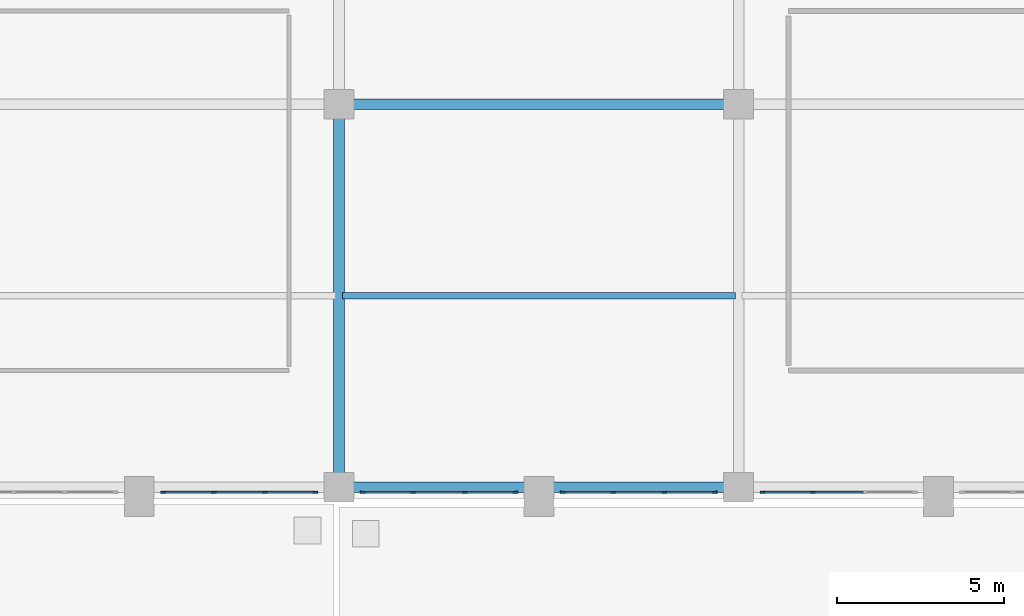
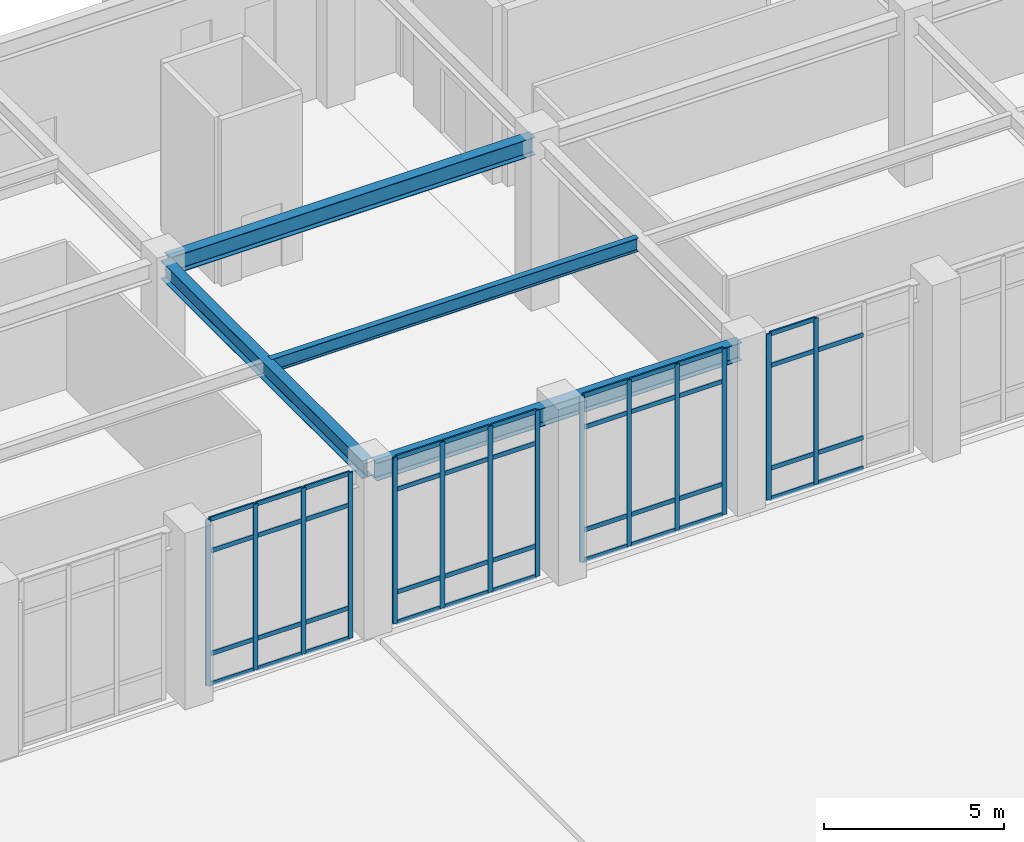
# One storey, part 75 of 143: 57 members, 4 beams, 4 elements without a shape of their own.
"""IFC4 building model written with IfcOpenShell, lengths in metres."""

from ifc_helpers import new_model, si_unit, derived_unit, direction, frame, origin, origin_2d, place, context, subcontext, project, spatial, rectangle, i_section, extrude, material, layer, layer_set, material_profile, profile_set, type_object, element, aggregate, save


model = new_model("IFC4")

# Units and contexts
model_context = context("Model", 3, precision=1e-05, world=origin(), true_north=direction((0.0, 1.0)))
body_context = subcontext(model_context, "Body", "Model", "MODEL_VIEW")
ifc_project = project(units=[si_unit("LENGTHUNIT", "METRE"), si_unit("AREAUNIT", "SQUARE_METRE"), si_unit("VOLUMEUNIT", "CUBIC_METRE"), si_unit("PLANEANGLEUNIT", "RADIAN"), si_unit("MASSUNIT", "GRAM", prefix="KILO"), derived_unit("THERMALTRANSMITTANCEUNIT", [(si_unit("MASSUNIT", "GRAM", prefix="KILO"), 1), (si_unit("TIMEUNIT", "SECOND"), -3), (si_unit("THERMODYNAMICTEMPERATUREUNIT", "KELVIN"), -1)])], contexts=[model_context])

# Site, building, storey
site_placement = place(None, origin())
site = spatial("IfcSite", under=ifc_project, at=site_placement, CompositionType="ELEMENT")
building_placement = place(site_placement, origin())
building = spatial("IfcBuilding", under=site, at=building_placement, Name="Valcora Ridge Arena", CompositionType="ELEMENT")
storey_placement = place(building_placement, origin())
storey = spatial("IfcBuildingStorey", under=building, at=storey_placement, Name="L00", CompositionType="ELEMENT", Elevation=0.0)

# Beams
ifc_material_1 = material(Name="Steel ASTM A572 Grade 50", Category="steel")
ifc_material_profile_1 = material_profile(ifc_material_1, i_section(OverallWidth=0.324951171875, OverallDepth=0.612060546875, WebThickness=0.0126953125, FlangeThickness=0.01904296875, FilletRadius=0.01806640625, at=origin_2d()), Name="W24X104")
ifc_profile_set_1 = profile_set([ifc_material_profile_1], Name="Steel ASTM A572 Grade 50")
beam_type_1 = type_object("IfcBeamType", Name="TY-BEAM-G-W24X104-X", PredefinedType="BEAM", material=ifc_profile_set_1)
for number, where, z_axis, x_axis, name in (
    (1, (132.139892578125, 108.699951171875, 5.333984375), (1.0, 0.0, 0.0), (0.0, 1.0, 0.0), "G-W24X104-X BEM-G-W24X104-X-0013"),
    (2, (132.139892578125, 120.199951171875, 5.333984375), (1.0, 0.0, 0.0), (0.0, 1.0, 0.0), "G-W24X104-X BEM-G-W24X104-X-0027"),
):
    element("IfcBeam", number, at=place(storey_placement, frame(where, z_axis=z_axis, x_axis=x_axis)), inside=storey, type_object=beam_type_1, Name=name, PredefinedType="BEAM", context=body_context, shape_type="SweptSolid", body=[
        extrude(i_section(OverallWidth=0.324951171875, OverallDepth=0.612060546875, WebThickness=0.0126953125, FlangeThickness=0.01904296875, FilletRadius=0.01806640625, at=origin_2d()), origin(), (0.0, 0.0, 1.0), 11.72021484375),
    ])
ifc_material_profile_2 = material_profile(ifc_material_1, i_section(OverallWidth=0.324951171875, OverallDepth=0.612060546875, WebThickness=0.0126953125, FlangeThickness=0.01904296875, FilletRadius=0.01806640625, at=origin_2d()), Name="W24X104")
ifc_profile_set_2 = profile_set([ifc_material_profile_2], Name="Steel ASTM A572 Grade 50")
beam_type_2 = type_object("IfcBeamType", Name="TY-BEAM-G-W24X104-Y", PredefinedType="BEAM", material=ifc_profile_set_2)
beam_1_placement = place(storey_placement, frame((132.0, 108.840087890625, 5.333984375), z_axis=(0.0, 1.0, 0.0), x_axis=(-1.0, 0.0, 0.0)))
element("IfcBeam", 3, at=beam_1_placement, inside=storey, type_object=beam_type_2, Name="G-W24X104-Y BEM-G-W24X104-Y-0018", PredefinedType="BEAM", context=body_context, shape_type="SweptSolid", body=[
    extrude(i_section(OverallWidth=0.324951171875, OverallDepth=0.612060546875, WebThickness=0.0126953125, FlangeThickness=0.01904296875, FilletRadius=0.01806640625, at=origin_2d()), origin(), (0.0, 0.0, 1.0), 11.219970703125),
])
ifc_material_profile_3 = material_profile(ifc_material_1, i_section(OverallWidth=0.18994140625, OverallDepth=0.45703125, WebThickness=0.009033203125, FlangeThickness=0.014404296875, FilletRadius=0.014892578125, at=origin_2d()), Name="W18X50")
ifc_profile_set_3 = profile_set([ifc_material_profile_3], Name="Steel ASTM A572 Grade 50")
beam_type_3 = type_object("IfcBeamType", Name="TY-BEAM-J-W18X50", PredefinedType="JOIST", material=ifc_profile_set_3)
beam_2_placement = place(storey_placement, frame((132.10009765625, 114.449951171875, 5.41162109375), z_axis=(1.0, 0.0, 0.0), x_axis=(0.0, 1.0, 0.0)))
element("IfcBeam", 4, at=beam_2_placement, inside=storey, type_object=beam_type_3, Name="J-W18X50 BEM-J-W18X50-0014", PredefinedType="JOIST", context=body_context, shape_type="SweptSolid", body=[
    extrude(i_section(OverallWidth=0.18994140625, OverallDepth=0.45703125, WebThickness=0.009033203125, FlangeThickness=0.014404296875, FilletRadius=0.014892578125, at=origin_2d()), origin(), (0.0, 0.0, 1.0), 11.7998046875),
])

# Curtain wall, members
ifc_material_2 = material(Name="Anodised dark bronze architectural aluminium 6063-T6", Category="aluminium")
ifc_layer = layer(ifc_material_2, 0.14990234375, Name="Anodised dark bronze architectural aluminium 6063-T6")
ifc_layer_set = layer_set([ifc_layer], Name="Anodised dark bronze architectural aluminium 6063-T6")
curtain_wall_type = type_object("IfcCurtainWallType", Name="TY-CURTAINWALL-CW-V5-MED-046X56", PredefinedType="NOTDEFINED", material=ifc_layer_set)
curtain_wall_1_placement = place(storey_placement, origin())
curtain_wall_1 = element("IfcCurtainWall", 5, at=curtain_wall_1_placement, inside=storey, type_object=curtain_wall_type, Name="CW-V5-MED-046X56 CW-0307", PredefinedType="NOTDEFINED")
ifc_material_profile_4 = material_profile(ifc_material_2, rectangle(XDim=0.050048828125, YDim=0.14990234375, at=origin_2d()), Name="ALU MULLION 50x150")
ifc_profile_set_4 = profile_set([ifc_material_profile_4], Name="Anodised dark bronze architectural aluminium 6063-T6")
member_type_1 = type_object("IfcMemberType", Name="TY-MEM-CWM-50x150", PredefinedType="MULLION", material=ifc_profile_set_4)
member_1_placement = place(storey_placement, frame((126.715087890625, 108.550048828125, 0.0), z_axis=(0.0, 0.0, 1.0), x_axis=(0.0, 1.0, 0.0)))
member_1 = element("IfcMember", 6, at=member_1_placement, type_object=member_type_1, Name="CW-0307/CWM-50x150/M00", PredefinedType="MULLION", context=body_context, shape_type="SweptSolid", body=[
    extrude(rectangle(XDim=0.050048828125, YDim=0.14990234375, at=origin_2d()), origin(), (0.0, 0.0, 1.0), 5.639892578125),
])
member_2_placement = place(storey_placement, frame((128.22998046875, 108.550048828125, 0.0), z_axis=(0.0, 0.0, 1.0), x_axis=(0.0, 1.0, 0.0)))
member_2 = element("IfcMember", 7, at=member_2_placement, type_object=member_type_1, Name="CW-0307/CWM-50x150/M01", PredefinedType="MULLION", context=body_context, shape_type="SweptSolid", body=[
    extrude(rectangle(XDim=0.050048828125, YDim=0.14990234375, at=origin_2d()), origin(), (0.0, 0.0, 1.0), 5.639892578125),
])
member_3_placement = place(storey_placement, frame((129.77001953125, 108.550048828125, 0.0), z_axis=(0.0, 0.0, 1.0), x_axis=(0.0, 1.0, 0.0)))
member_3 = element("IfcMember", 8, at=member_3_placement, type_object=member_type_1, Name="CW-0307/CWM-50x150/M02", PredefinedType="MULLION", context=body_context, shape_type="SweptSolid", body=[
    extrude(rectangle(XDim=0.050048828125, YDim=0.14990234375, at=origin_2d()), origin(), (0.0, 0.0, 1.0), 5.639892578125),
])
member_4_placement = place(storey_placement, frame((131.284912109375, 108.550048828125, 0.0), z_axis=(0.0, 0.0, 1.0), x_axis=(0.0, 1.0, 0.0)))
member_4 = element("IfcMember", 9, at=member_4_placement, type_object=member_type_1, Name="CW-0307/CWM-50x150/M03", PredefinedType="MULLION", context=body_context, shape_type="SweptSolid", body=[
    extrude(rectangle(XDim=0.050048828125, YDim=0.14990234375, at=origin_2d()), origin(), (0.0, 0.0, 1.0), 5.639892578125),
])

curtain_wall_2_placement = place(storey_placement, origin())
curtain_wall_2 = element("IfcCurtainWall", 10, at=curtain_wall_2_placement, inside=storey, type_object=curtain_wall_type, Name="CW-V5-MED-046X56 CW-0308", PredefinedType="NOTDEFINED")
member_5_placement = place(storey_placement, frame((132.715087890625, 108.550048828125, 0.0), z_axis=(0.0, 0.0, 1.0), x_axis=(0.0, 1.0, 0.0)))
member_5 = element("IfcMember", 11, at=member_5_placement, type_object=member_type_1, Name="CW-0308/CWM-50x150/M00", PredefinedType="MULLION", context=body_context, shape_type="SweptSolid", body=[
    extrude(rectangle(XDim=0.050048828125, YDim=0.14990234375, at=origin_2d()), origin(), (0.0, 0.0, 1.0), 5.639892578125),
])
member_6_placement = place(storey_placement, frame((134.22998046875, 108.550048828125, 0.0), z_axis=(0.0, 0.0, 1.0), x_axis=(0.0, 1.0, 0.0)))
member_6 = element("IfcMember", 12, at=member_6_placement, type_object=member_type_1, Name="CW-0308/CWM-50x150/M01", PredefinedType="MULLION", context=body_context, shape_type="SweptSolid", body=[
    extrude(rectangle(XDim=0.050048828125, YDim=0.14990234375, at=origin_2d()), origin(), (0.0, 0.0, 1.0), 5.639892578125),
])
member_7_placement = place(storey_placement, frame((135.77001953125, 108.550048828125, 0.0), z_axis=(0.0, 0.0, 1.0), x_axis=(0.0, 1.0, 0.0)))
member_7 = element("IfcMember", 13, at=member_7_placement, type_object=member_type_1, Name="CW-0308/CWM-50x150/M02", PredefinedType="MULLION", context=body_context, shape_type="SweptSolid", body=[
    extrude(rectangle(XDim=0.050048828125, YDim=0.14990234375, at=origin_2d()), origin(), (0.0, 0.0, 1.0), 5.639892578125),
])
member_8_placement = place(storey_placement, frame((137.284912109375, 108.550048828125, 0.0), z_axis=(0.0, 0.0, 1.0), x_axis=(0.0, 1.0, 0.0)))
member_8 = element("IfcMember", 14, at=member_8_placement, type_object=member_type_1, Name="CW-0308/CWM-50x150/M03", PredefinedType="MULLION", context=body_context, shape_type="SweptSolid", body=[
    extrude(rectangle(XDim=0.050048828125, YDim=0.14990234375, at=origin_2d()), origin(), (0.0, 0.0, 1.0), 5.639892578125),
])

curtain_wall_3_placement = place(storey_placement, origin())
curtain_wall_3 = element("IfcCurtainWall", 15, at=curtain_wall_3_placement, inside=storey, type_object=curtain_wall_type, Name="CW-V5-MED-046X56 CW-0309", PredefinedType="NOTDEFINED")
member_9_placement = place(storey_placement, frame((138.715087890625, 108.550048828125, 0.0), z_axis=(0.0, 0.0, 1.0), x_axis=(0.0, 1.0, 0.0)))
member_9 = element("IfcMember", 16, at=member_9_placement, type_object=member_type_1, Name="CW-0309/CWM-50x150/M00", PredefinedType="MULLION", context=body_context, shape_type="SweptSolid", body=[
    extrude(rectangle(XDim=0.050048828125, YDim=0.14990234375, at=origin_2d()), origin(), (0.0, 0.0, 1.0), 5.639892578125),
])
member_10_placement = place(storey_placement, frame((140.22998046875, 108.550048828125, 0.0), z_axis=(0.0, 0.0, 1.0), x_axis=(0.0, 1.0, 0.0)))
member_10 = element("IfcMember", 17, at=member_10_placement, type_object=member_type_1, Name="CW-0309/CWM-50x150/M01", PredefinedType="MULLION", context=body_context, shape_type="SweptSolid", body=[
    extrude(rectangle(XDim=0.050048828125, YDim=0.14990234375, at=origin_2d()), origin(), (0.0, 0.0, 1.0), 5.639892578125),
])
member_11_placement = place(storey_placement, frame((141.77001953125, 108.550048828125, 0.0), z_axis=(0.0, 0.0, 1.0), x_axis=(0.0, 1.0, 0.0)))
member_11 = element("IfcMember", 18, at=member_11_placement, type_object=member_type_1, Name="CW-0309/CWM-50x150/M02", PredefinedType="MULLION", context=body_context, shape_type="SweptSolid", body=[
    extrude(rectangle(XDim=0.050048828125, YDim=0.14990234375, at=origin_2d()), origin(), (0.0, 0.0, 1.0), 5.639892578125),
])
member_12_placement = place(storey_placement, frame((143.284912109375, 108.550048828125, 0.0), z_axis=(0.0, 0.0, 1.0), x_axis=(0.0, 1.0, 0.0)))
member_12 = element("IfcMember", 19, at=member_12_placement, type_object=member_type_1, Name="CW-0309/CWM-50x150/M03", PredefinedType="MULLION", context=body_context, shape_type="SweptSolid", body=[
    extrude(rectangle(XDim=0.050048828125, YDim=0.14990234375, at=origin_2d()), origin(), (0.0, 0.0, 1.0), 5.639892578125),
])

curtain_wall_4_placement = place(storey_placement, origin())
curtain_wall_4 = element("IfcCurtainWall", 20, at=curtain_wall_4_placement, inside=storey, type_object=curtain_wall_type, Name="CW-V5-MED-046X56 CW-0310", PredefinedType="NOTDEFINED")
member_13_placement = place(storey_placement, frame((144.715087890625, 108.550048828125, 0.0), z_axis=(0.0, 0.0, 1.0), x_axis=(0.0, 1.0, 0.0)))
member_13 = element("IfcMember", 21, at=member_13_placement, type_object=member_type_1, Name="CW-0310/CWM-50x150/M00", PredefinedType="MULLION", context=body_context, shape_type="SweptSolid", body=[
    extrude(rectangle(XDim=0.050048828125, YDim=0.14990234375, at=origin_2d()), origin(), (0.0, 0.0, 1.0), 5.639892578125),
])
member_14_placement = place(storey_placement, frame((146.22998046875, 108.550048828125, 0.0), z_axis=(0.0, 0.0, 1.0), x_axis=(0.0, 1.0, 0.0)))
member_14 = element("IfcMember", 22, at=member_14_placement, type_object=member_type_1, Name="CW-0310/CWM-50x150/M01", PredefinedType="MULLION", context=body_context, shape_type="SweptSolid", body=[
    extrude(rectangle(XDim=0.050048828125, YDim=0.14990234375, at=origin_2d()), origin(), (0.0, 0.0, 1.0), 5.639892578125),
])

# Member
ifc_material_profile_5 = material_profile(ifc_material_2, rectangle(XDim=0.050048828125, YDim=0.14990234375, at=origin_2d()), Name="ALU TRANSOM 50x150")
ifc_profile_set_5 = profile_set([ifc_material_profile_5], Name="Anodised dark bronze architectural aluminium 6063-T6")
member_type_2 = type_object("IfcMemberType", Name="TY-MEM-CWT-50x150", PredefinedType="USERDEFINED", material=ifc_profile_set_5)
member_15_placement = place(storey_placement, frame((126.739990234375, 108.550048828125, 0.02490234375), z_axis=(1.0, 0.0, 0.0), x_axis=(0.0, 1.0, 0.0)))
member_15 = element("IfcMember", 23, at=member_15_placement, type_object=member_type_2, Name="CW-0307/CWT-50x150/T00-00", ObjectType="TRANSOM", PredefinedType="USERDEFINED", context=body_context, shape_type="SweptSolid", body=[
    extrude(rectangle(XDim=0.050048828125, YDim=0.14990234375, at=origin_2d()), origin(), (0.0, 0.0, 1.0), 1.465087890625),
])

member_16_placement = place(storey_placement, frame((126.739990234375, 108.550048828125, 1.050048828125), z_axis=(1.0, 0.0, 0.0), x_axis=(0.0, 1.0, 0.0)))
member_16 = element("IfcMember", 24, at=member_16_placement, type_object=member_type_2, Name="CW-0307/CWT-50x150/T00-01", ObjectType="TRANSOM", PredefinedType="USERDEFINED", context=body_context, shape_type="SweptSolid", body=[
    extrude(rectangle(XDim=0.050048828125, YDim=0.14990234375, at=origin_2d()), origin(), (0.0, 0.0, 1.0), 1.465087890625),
])

member_17_placement = place(storey_placement, frame((126.739990234375, 108.550048828125, 4.5400390625), z_axis=(1.0, 0.0, 0.0), x_axis=(0.0, 1.0, 0.0)))
member_17 = element("IfcMember", 25, at=member_17_placement, type_object=member_type_2, Name="CW-0307/CWT-50x150/T00-02", ObjectType="TRANSOM", PredefinedType="USERDEFINED", context=body_context, shape_type="SweptSolid", body=[
    extrude(rectangle(XDim=0.050048828125, YDim=0.14990234375, at=origin_2d()), origin(), (0.0, 0.0, 1.0), 1.465087890625),
])

member_18_placement = place(storey_placement, frame((126.739990234375, 108.550048828125, 5.614990234375), z_axis=(1.0, 0.0, 0.0), x_axis=(0.0, 1.0, 0.0)))
member_18 = element("IfcMember", 26, at=member_18_placement, type_object=member_type_2, Name="CW-0307/CWT-50x150/T00-03", ObjectType="TRANSOM", PredefinedType="USERDEFINED", context=body_context, shape_type="SweptSolid", body=[
    extrude(rectangle(XDim=0.050048828125, YDim=0.14990234375, at=origin_2d()), origin(), (0.0, 0.0, 1.0), 1.465087890625),
])

member_19_placement = place(storey_placement, frame((128.2548828125, 108.550048828125, 0.02490234375), z_axis=(1.0, 0.0, 0.0), x_axis=(0.0, 1.0, 0.0)))
member_19 = element("IfcMember", 27, at=member_19_placement, type_object=member_type_2, Name="CW-0307/CWT-50x150/T01-00", ObjectType="TRANSOM", PredefinedType="USERDEFINED", context=body_context, shape_type="SweptSolid", body=[
    extrude(rectangle(XDim=0.050048828125, YDim=0.14990234375, at=origin_2d()), origin(), (0.0, 0.0, 1.0), 1.490234375),
])

member_20_placement = place(storey_placement, frame((128.2548828125, 108.550048828125, 1.050048828125), z_axis=(1.0, 0.0, 0.0), x_axis=(0.0, 1.0, 0.0)))
member_20 = element("IfcMember", 28, at=member_20_placement, type_object=member_type_2, Name="CW-0307/CWT-50x150/T01-01", ObjectType="TRANSOM", PredefinedType="USERDEFINED", context=body_context, shape_type="SweptSolid", body=[
    extrude(rectangle(XDim=0.050048828125, YDim=0.14990234375, at=origin_2d()), origin(), (0.0, 0.0, 1.0), 1.490234375),
])

member_21_placement = place(storey_placement, frame((128.2548828125, 108.550048828125, 4.5400390625), z_axis=(1.0, 0.0, 0.0), x_axis=(0.0, 1.0, 0.0)))
member_21 = element("IfcMember", 29, at=member_21_placement, type_object=member_type_2, Name="CW-0307/CWT-50x150/T01-02", ObjectType="TRANSOM", PredefinedType="USERDEFINED", context=body_context, shape_type="SweptSolid", body=[
    extrude(rectangle(XDim=0.050048828125, YDim=0.14990234375, at=origin_2d()), origin(), (0.0, 0.0, 1.0), 1.490234375),
])

member_22_placement = place(storey_placement, frame((128.2548828125, 108.550048828125, 5.614990234375), z_axis=(1.0, 0.0, 0.0), x_axis=(0.0, 1.0, 0.0)))
member_22 = element("IfcMember", 30, at=member_22_placement, type_object=member_type_2, Name="CW-0307/CWT-50x150/T01-03", ObjectType="TRANSOM", PredefinedType="USERDEFINED", context=body_context, shape_type="SweptSolid", body=[
    extrude(rectangle(XDim=0.050048828125, YDim=0.14990234375, at=origin_2d()), origin(), (0.0, 0.0, 1.0), 1.490234375),
])

member_23_placement = place(storey_placement, frame((129.794921875, 108.550048828125, 0.02490234375), z_axis=(1.0, 0.0, 0.0), x_axis=(0.0, 1.0, 0.0)))
member_23 = element("IfcMember", 31, at=member_23_placement, type_object=member_type_2, Name="CW-0307/CWT-50x150/T02-00", ObjectType="TRANSOM", PredefinedType="USERDEFINED", context=body_context, shape_type="SweptSolid", body=[
    extrude(rectangle(XDim=0.050048828125, YDim=0.14990234375, at=origin_2d()), origin(), (0.0, 0.0, 1.0), 1.465087890625),
])

member_24_placement = place(storey_placement, frame((129.794921875, 108.550048828125, 1.050048828125), z_axis=(1.0, 0.0, 0.0), x_axis=(0.0, 1.0, 0.0)))
member_24 = element("IfcMember", 32, at=member_24_placement, type_object=member_type_2, Name="CW-0307/CWT-50x150/T02-01", ObjectType="TRANSOM", PredefinedType="USERDEFINED", context=body_context, shape_type="SweptSolid", body=[
    extrude(rectangle(XDim=0.050048828125, YDim=0.14990234375, at=origin_2d()), origin(), (0.0, 0.0, 1.0), 1.465087890625),
])

member_25_placement = place(storey_placement, frame((129.794921875, 108.550048828125, 4.5400390625), z_axis=(1.0, 0.0, 0.0), x_axis=(0.0, 1.0, 0.0)))
member_25 = element("IfcMember", 33, at=member_25_placement, type_object=member_type_2, Name="CW-0307/CWT-50x150/T02-02", ObjectType="TRANSOM", PredefinedType="USERDEFINED", context=body_context, shape_type="SweptSolid", body=[
    extrude(rectangle(XDim=0.050048828125, YDim=0.14990234375, at=origin_2d()), origin(), (0.0, 0.0, 1.0), 1.465087890625),
])

member_26_placement = place(storey_placement, frame((129.794921875, 108.550048828125, 5.614990234375), z_axis=(1.0, 0.0, 0.0), x_axis=(0.0, 1.0, 0.0)))
member_26 = element("IfcMember", 34, at=member_26_placement, type_object=member_type_2, Name="CW-0307/CWT-50x150/T02-03", ObjectType="TRANSOM", PredefinedType="USERDEFINED", context=body_context, shape_type="SweptSolid", body=[
    extrude(rectangle(XDim=0.050048828125, YDim=0.14990234375, at=origin_2d()), origin(), (0.0, 0.0, 1.0), 1.465087890625),
])

aggregate(curtain_wall_1, [member_1, member_2, member_3, member_4, member_15, member_16, member_17, member_18, member_19, member_20, member_21, member_22, member_23, member_24, member_25, member_26])

member_27_placement = place(storey_placement, frame((132.739990234375, 108.550048828125, 0.02490234375), z_axis=(1.0, 0.0, 0.0), x_axis=(0.0, 1.0, 0.0)))
member_27 = element("IfcMember", 35, at=member_27_placement, type_object=member_type_2, Name="CW-0308/CWT-50x150/T00-00", ObjectType="TRANSOM", PredefinedType="USERDEFINED", context=body_context, shape_type="SweptSolid", body=[
    extrude(rectangle(XDim=0.050048828125, YDim=0.14990234375, at=origin_2d()), origin(), (0.0, 0.0, 1.0), 1.465087890625),
])

member_28_placement = place(storey_placement, frame((132.739990234375, 108.550048828125, 1.050048828125), z_axis=(1.0, 0.0, 0.0), x_axis=(0.0, 1.0, 0.0)))
member_28 = element("IfcMember", 36, at=member_28_placement, type_object=member_type_2, Name="CW-0308/CWT-50x150/T00-01", ObjectType="TRANSOM", PredefinedType="USERDEFINED", context=body_context, shape_type="SweptSolid", body=[
    extrude(rectangle(XDim=0.050048828125, YDim=0.14990234375, at=origin_2d()), origin(), (0.0, 0.0, 1.0), 1.465087890625),
])

member_29_placement = place(storey_placement, frame((132.739990234375, 108.550048828125, 4.5400390625), z_axis=(1.0, 0.0, 0.0), x_axis=(0.0, 1.0, 0.0)))
member_29 = element("IfcMember", 37, at=member_29_placement, type_object=member_type_2, Name="CW-0308/CWT-50x150/T00-02", ObjectType="TRANSOM", PredefinedType="USERDEFINED", context=body_context, shape_type="SweptSolid", body=[
    extrude(rectangle(XDim=0.050048828125, YDim=0.14990234375, at=origin_2d()), origin(), (0.0, 0.0, 1.0), 1.465087890625),
])

member_30_placement = place(storey_placement, frame((132.739990234375, 108.550048828125, 5.614990234375), z_axis=(1.0, 0.0, 0.0), x_axis=(0.0, 1.0, 0.0)))
member_30 = element("IfcMember", 38, at=member_30_placement, type_object=member_type_2, Name="CW-0308/CWT-50x150/T00-03", ObjectType="TRANSOM", PredefinedType="USERDEFINED", context=body_context, shape_type="SweptSolid", body=[
    extrude(rectangle(XDim=0.050048828125, YDim=0.14990234375, at=origin_2d()), origin(), (0.0, 0.0, 1.0), 1.465087890625),
])

member_31_placement = place(storey_placement, frame((134.2548828125, 108.550048828125, 0.02490234375), z_axis=(1.0, 0.0, 0.0), x_axis=(0.0, 1.0, 0.0)))
member_31 = element("IfcMember", 39, at=member_31_placement, type_object=member_type_2, Name="CW-0308/CWT-50x150/T01-00", ObjectType="TRANSOM", PredefinedType="USERDEFINED", context=body_context, shape_type="SweptSolid", body=[
    extrude(rectangle(XDim=0.050048828125, YDim=0.14990234375, at=origin_2d()), origin(), (0.0, 0.0, 1.0), 1.490234375),
])

member_32_placement = place(storey_placement, frame((134.2548828125, 108.550048828125, 1.050048828125), z_axis=(1.0, 0.0, 0.0), x_axis=(0.0, 1.0, 0.0)))
member_32 = element("IfcMember", 40, at=member_32_placement, type_object=member_type_2, Name="CW-0308/CWT-50x150/T01-01", ObjectType="TRANSOM", PredefinedType="USERDEFINED", context=body_context, shape_type="SweptSolid", body=[
    extrude(rectangle(XDim=0.050048828125, YDim=0.14990234375, at=origin_2d()), origin(), (0.0, 0.0, 1.0), 1.490234375),
])

member_33_placement = place(storey_placement, frame((134.2548828125, 108.550048828125, 4.5400390625), z_axis=(1.0, 0.0, 0.0), x_axis=(0.0, 1.0, 0.0)))
member_33 = element("IfcMember", 41, at=member_33_placement, type_object=member_type_2, Name="CW-0308/CWT-50x150/T01-02", ObjectType="TRANSOM", PredefinedType="USERDEFINED", context=body_context, shape_type="SweptSolid", body=[
    extrude(rectangle(XDim=0.050048828125, YDim=0.14990234375, at=origin_2d()), origin(), (0.0, 0.0, 1.0), 1.490234375),
])

member_34_placement = place(storey_placement, frame((134.2548828125, 108.550048828125, 5.614990234375), z_axis=(1.0, 0.0, 0.0), x_axis=(0.0, 1.0, 0.0)))
member_34 = element("IfcMember", 42, at=member_34_placement, type_object=member_type_2, Name="CW-0308/CWT-50x150/T01-03", ObjectType="TRANSOM", PredefinedType="USERDEFINED", context=body_context, shape_type="SweptSolid", body=[
    extrude(rectangle(XDim=0.050048828125, YDim=0.14990234375, at=origin_2d()), origin(), (0.0, 0.0, 1.0), 1.490234375),
])

member_35_placement = place(storey_placement, frame((135.794921875, 108.550048828125, 0.02490234375), z_axis=(1.0, 0.0, 0.0), x_axis=(0.0, 1.0, 0.0)))
member_35 = element("IfcMember", 43, at=member_35_placement, type_object=member_type_2, Name="CW-0308/CWT-50x150/T02-00", ObjectType="TRANSOM", PredefinedType="USERDEFINED", context=body_context, shape_type="SweptSolid", body=[
    extrude(rectangle(XDim=0.050048828125, YDim=0.14990234375, at=origin_2d()), origin(), (0.0, 0.0, 1.0), 1.465087890625),
])

member_36_placement = place(storey_placement, frame((135.794921875, 108.550048828125, 1.050048828125), z_axis=(1.0, 0.0, 0.0), x_axis=(0.0, 1.0, 0.0)))
member_36 = element("IfcMember", 44, at=member_36_placement, type_object=member_type_2, Name="CW-0308/CWT-50x150/T02-01", ObjectType="TRANSOM", PredefinedType="USERDEFINED", context=body_context, shape_type="SweptSolid", body=[
    extrude(rectangle(XDim=0.050048828125, YDim=0.14990234375, at=origin_2d()), origin(), (0.0, 0.0, 1.0), 1.465087890625),
])

member_37_placement = place(storey_placement, frame((135.794921875, 108.550048828125, 4.5400390625), z_axis=(1.0, 0.0, 0.0), x_axis=(0.0, 1.0, 0.0)))
member_37 = element("IfcMember", 45, at=member_37_placement, type_object=member_type_2, Name="CW-0308/CWT-50x150/T02-02", ObjectType="TRANSOM", PredefinedType="USERDEFINED", context=body_context, shape_type="SweptSolid", body=[
    extrude(rectangle(XDim=0.050048828125, YDim=0.14990234375, at=origin_2d()), origin(), (0.0, 0.0, 1.0), 1.465087890625),
])

member_38_placement = place(storey_placement, frame((135.794921875, 108.550048828125, 5.614990234375), z_axis=(1.0, 0.0, 0.0), x_axis=(0.0, 1.0, 0.0)))
member_38 = element("IfcMember", 46, at=member_38_placement, type_object=member_type_2, Name="CW-0308/CWT-50x150/T02-03", ObjectType="TRANSOM", PredefinedType="USERDEFINED", context=body_context, shape_type="SweptSolid", body=[
    extrude(rectangle(XDim=0.050048828125, YDim=0.14990234375, at=origin_2d()), origin(), (0.0, 0.0, 1.0), 1.465087890625),
])

aggregate(curtain_wall_2, [member_5, member_6, member_7, member_8, member_27, member_28, member_29, member_30, member_31, member_32, member_33, member_34, member_35, member_36, member_37, member_38])

member_39_placement = place(storey_placement, frame((138.739990234375, 108.550048828125, 0.02490234375), z_axis=(1.0, 0.0, 0.0), x_axis=(0.0, 1.0, 0.0)))
member_39 = element("IfcMember", 47, at=member_39_placement, type_object=member_type_2, Name="CW-0309/CWT-50x150/T00-00", ObjectType="TRANSOM", PredefinedType="USERDEFINED", context=body_context, shape_type="SweptSolid", body=[
    extrude(rectangle(XDim=0.050048828125, YDim=0.14990234375, at=origin_2d()), origin(), (0.0, 0.0, 1.0), 1.465087890625),
])

member_40_placement = place(storey_placement, frame((138.739990234375, 108.550048828125, 1.050048828125), z_axis=(1.0, 0.0, 0.0), x_axis=(0.0, 1.0, 0.0)))
member_40 = element("IfcMember", 48, at=member_40_placement, type_object=member_type_2, Name="CW-0309/CWT-50x150/T00-01", ObjectType="TRANSOM", PredefinedType="USERDEFINED", context=body_context, shape_type="SweptSolid", body=[
    extrude(rectangle(XDim=0.050048828125, YDim=0.14990234375, at=origin_2d()), origin(), (0.0, 0.0, 1.0), 1.465087890625),
])

member_41_placement = place(storey_placement, frame((138.739990234375, 108.550048828125, 4.5400390625), z_axis=(1.0, 0.0, 0.0), x_axis=(0.0, 1.0, 0.0)))
member_41 = element("IfcMember", 49, at=member_41_placement, type_object=member_type_2, Name="CW-0309/CWT-50x150/T00-02", ObjectType="TRANSOM", PredefinedType="USERDEFINED", context=body_context, shape_type="SweptSolid", body=[
    extrude(rectangle(XDim=0.050048828125, YDim=0.14990234375, at=origin_2d()), origin(), (0.0, 0.0, 1.0), 1.465087890625),
])

member_42_placement = place(storey_placement, frame((138.739990234375, 108.550048828125, 5.614990234375), z_axis=(1.0, 0.0, 0.0), x_axis=(0.0, 1.0, 0.0)))
member_42 = element("IfcMember", 50, at=member_42_placement, type_object=member_type_2, Name="CW-0309/CWT-50x150/T00-03", ObjectType="TRANSOM", PredefinedType="USERDEFINED", context=body_context, shape_type="SweptSolid", body=[
    extrude(rectangle(XDim=0.050048828125, YDim=0.14990234375, at=origin_2d()), origin(), (0.0, 0.0, 1.0), 1.465087890625),
])

member_43_placement = place(storey_placement, frame((140.2548828125, 108.550048828125, 0.02490234375), z_axis=(1.0, 0.0, 0.0), x_axis=(0.0, 1.0, 0.0)))
member_43 = element("IfcMember", 51, at=member_43_placement, type_object=member_type_2, Name="CW-0309/CWT-50x150/T01-00", ObjectType="TRANSOM", PredefinedType="USERDEFINED", context=body_context, shape_type="SweptSolid", body=[
    extrude(rectangle(XDim=0.050048828125, YDim=0.14990234375, at=origin_2d()), origin(), (0.0, 0.0, 1.0), 1.490234375),
])

member_44_placement = place(storey_placement, frame((140.2548828125, 108.550048828125, 1.050048828125), z_axis=(1.0, 0.0, 0.0), x_axis=(0.0, 1.0, 0.0)))
member_44 = element("IfcMember", 52, at=member_44_placement, type_object=member_type_2, Name="CW-0309/CWT-50x150/T01-01", ObjectType="TRANSOM", PredefinedType="USERDEFINED", context=body_context, shape_type="SweptSolid", body=[
    extrude(rectangle(XDim=0.050048828125, YDim=0.14990234375, at=origin_2d()), origin(), (0.0, 0.0, 1.0), 1.490234375),
])

member_45_placement = place(storey_placement, frame((140.2548828125, 108.550048828125, 4.5400390625), z_axis=(1.0, 0.0, 0.0), x_axis=(0.0, 1.0, 0.0)))
member_45 = element("IfcMember", 53, at=member_45_placement, type_object=member_type_2, Name="CW-0309/CWT-50x150/T01-02", ObjectType="TRANSOM", PredefinedType="USERDEFINED", context=body_context, shape_type="SweptSolid", body=[
    extrude(rectangle(XDim=0.050048828125, YDim=0.14990234375, at=origin_2d()), origin(), (0.0, 0.0, 1.0), 1.490234375),
])

member_46_placement = place(storey_placement, frame((140.2548828125, 108.550048828125, 5.614990234375), z_axis=(1.0, 0.0, 0.0), x_axis=(0.0, 1.0, 0.0)))
member_46 = element("IfcMember", 54, at=member_46_placement, type_object=member_type_2, Name="CW-0309/CWT-50x150/T01-03", ObjectType="TRANSOM", PredefinedType="USERDEFINED", context=body_context, shape_type="SweptSolid", body=[
    extrude(rectangle(XDim=0.050048828125, YDim=0.14990234375, at=origin_2d()), origin(), (0.0, 0.0, 1.0), 1.490234375),
])

member_47_placement = place(storey_placement, frame((141.794921875, 108.550048828125, 0.02490234375), z_axis=(1.0, 0.0, 0.0), x_axis=(0.0, 1.0, 0.0)))
member_47 = element("IfcMember", 55, at=member_47_placement, type_object=member_type_2, Name="CW-0309/CWT-50x150/T02-00", ObjectType="TRANSOM", PredefinedType="USERDEFINED", context=body_context, shape_type="SweptSolid", body=[
    extrude(rectangle(XDim=0.050048828125, YDim=0.14990234375, at=origin_2d()), origin(), (0.0, 0.0, 1.0), 1.465087890625),
])

member_48_placement = place(storey_placement, frame((141.794921875, 108.550048828125, 1.050048828125), z_axis=(1.0, 0.0, 0.0), x_axis=(0.0, 1.0, 0.0)))
member_48 = element("IfcMember", 56, at=member_48_placement, type_object=member_type_2, Name="CW-0309/CWT-50x150/T02-01", ObjectType="TRANSOM", PredefinedType="USERDEFINED", context=body_context, shape_type="SweptSolid", body=[
    extrude(rectangle(XDim=0.050048828125, YDim=0.14990234375, at=origin_2d()), origin(), (0.0, 0.0, 1.0), 1.465087890625),
])

member_49_placement = place(storey_placement, frame((141.794921875, 108.550048828125, 4.5400390625), z_axis=(1.0, 0.0, 0.0), x_axis=(0.0, 1.0, 0.0)))
member_49 = element("IfcMember", 57, at=member_49_placement, type_object=member_type_2, Name="CW-0309/CWT-50x150/T02-02", ObjectType="TRANSOM", PredefinedType="USERDEFINED", context=body_context, shape_type="SweptSolid", body=[
    extrude(rectangle(XDim=0.050048828125, YDim=0.14990234375, at=origin_2d()), origin(), (0.0, 0.0, 1.0), 1.465087890625),
])

member_50_placement = place(storey_placement, frame((141.794921875, 108.550048828125, 5.614990234375), z_axis=(1.0, 0.0, 0.0), x_axis=(0.0, 1.0, 0.0)))
member_50 = element("IfcMember", 58, at=member_50_placement, type_object=member_type_2, Name="CW-0309/CWT-50x150/T02-03", ObjectType="TRANSOM", PredefinedType="USERDEFINED", context=body_context, shape_type="SweptSolid", body=[
    extrude(rectangle(XDim=0.050048828125, YDim=0.14990234375, at=origin_2d()), origin(), (0.0, 0.0, 1.0), 1.465087890625),
])

aggregate(curtain_wall_3, [member_9, member_10, member_11, member_12, member_39, member_40, member_41, member_42, member_43, member_44, member_45, member_46, member_47, member_48, member_49, member_50])

member_51_placement = place(storey_placement, frame((144.739990234375, 108.550048828125, 0.02490234375), z_axis=(1.0, 0.0, 0.0), x_axis=(0.0, 1.0, 0.0)))
member_51 = element("IfcMember", 59, at=member_51_placement, type_object=member_type_2, Name="CW-0310/CWT-50x150/T00-00", ObjectType="TRANSOM", PredefinedType="USERDEFINED", context=body_context, shape_type="SweptSolid", body=[
    extrude(rectangle(XDim=0.050048828125, YDim=0.14990234375, at=origin_2d()), origin(), (0.0, 0.0, 1.0), 1.465087890625),
])

member_52_placement = place(storey_placement, frame((144.739990234375, 108.550048828125, 1.050048828125), z_axis=(1.0, 0.0, 0.0), x_axis=(0.0, 1.0, 0.0)))
member_52 = element("IfcMember", 60, at=member_52_placement, type_object=member_type_2, Name="CW-0310/CWT-50x150/T00-01", ObjectType="TRANSOM", PredefinedType="USERDEFINED", context=body_context, shape_type="SweptSolid", body=[
    extrude(rectangle(XDim=0.050048828125, YDim=0.14990234375, at=origin_2d()), origin(), (0.0, 0.0, 1.0), 1.465087890625),
])

member_53_placement = place(storey_placement, frame((144.739990234375, 108.550048828125, 4.5400390625), z_axis=(1.0, 0.0, 0.0), x_axis=(0.0, 1.0, 0.0)))
member_53 = element("IfcMember", 61, at=member_53_placement, type_object=member_type_2, Name="CW-0310/CWT-50x150/T00-02", ObjectType="TRANSOM", PredefinedType="USERDEFINED", context=body_context, shape_type="SweptSolid", body=[
    extrude(rectangle(XDim=0.050048828125, YDim=0.14990234375, at=origin_2d()), origin(), (0.0, 0.0, 1.0), 1.465087890625),
])

member_54_placement = place(storey_placement, frame((144.739990234375, 108.550048828125, 5.614990234375), z_axis=(1.0, 0.0, 0.0), x_axis=(0.0, 1.0, 0.0)))
member_54 = element("IfcMember", 62, at=member_54_placement, type_object=member_type_2, Name="CW-0310/CWT-50x150/T00-03", ObjectType="TRANSOM", PredefinedType="USERDEFINED", context=body_context, shape_type="SweptSolid", body=[
    extrude(rectangle(XDim=0.050048828125, YDim=0.14990234375, at=origin_2d()), origin(), (0.0, 0.0, 1.0), 1.465087890625),
])

member_55_placement = place(storey_placement, frame((146.2548828125, 108.550048828125, 0.02490234375), z_axis=(1.0, 0.0, 0.0), x_axis=(0.0, 1.0, 0.0)))
member_55 = element("IfcMember", 63, at=member_55_placement, type_object=member_type_2, Name="CW-0310/CWT-50x150/T01-00", ObjectType="TRANSOM", PredefinedType="USERDEFINED", context=body_context, shape_type="SweptSolid", body=[
    extrude(rectangle(XDim=0.050048828125, YDim=0.14990234375, at=origin_2d()), origin(), (0.0, 0.0, 1.0), 1.490234375),
])

member_56_placement = place(storey_placement, frame((146.2548828125, 108.550048828125, 1.050048828125), z_axis=(1.0, 0.0, 0.0), x_axis=(0.0, 1.0, 0.0)))
member_56 = element("IfcMember", 64, at=member_56_placement, type_object=member_type_2, Name="CW-0310/CWT-50x150/T01-01", ObjectType="TRANSOM", PredefinedType="USERDEFINED", context=body_context, shape_type="SweptSolid", body=[
    extrude(rectangle(XDim=0.050048828125, YDim=0.14990234375, at=origin_2d()), origin(), (0.0, 0.0, 1.0), 1.490234375),
])

member_57_placement = place(storey_placement, frame((146.2548828125, 108.550048828125, 4.5400390625), z_axis=(1.0, 0.0, 0.0), x_axis=(0.0, 1.0, 0.0)))
member_57 = element("IfcMember", 65, at=member_57_placement, type_object=member_type_2, Name="CW-0310/CWT-50x150/T01-02", ObjectType="TRANSOM", PredefinedType="USERDEFINED", context=body_context, shape_type="SweptSolid", body=[
    extrude(rectangle(XDim=0.050048828125, YDim=0.14990234375, at=origin_2d()), origin(), (0.0, 0.0, 1.0), 1.490234375),
])

aggregate(curtain_wall_4, [member_13, member_14, member_51, member_52, member_53, member_54, member_55, member_56, member_57])

save(model, "model.ifc")
